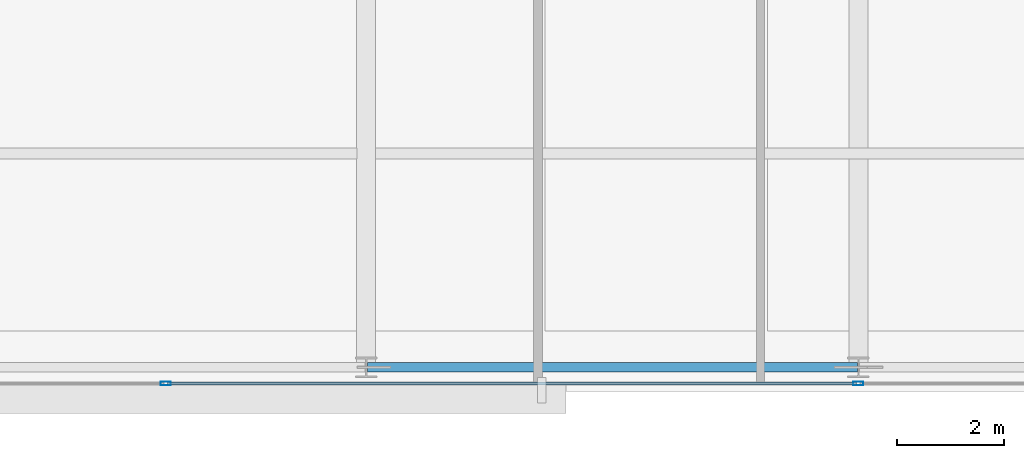
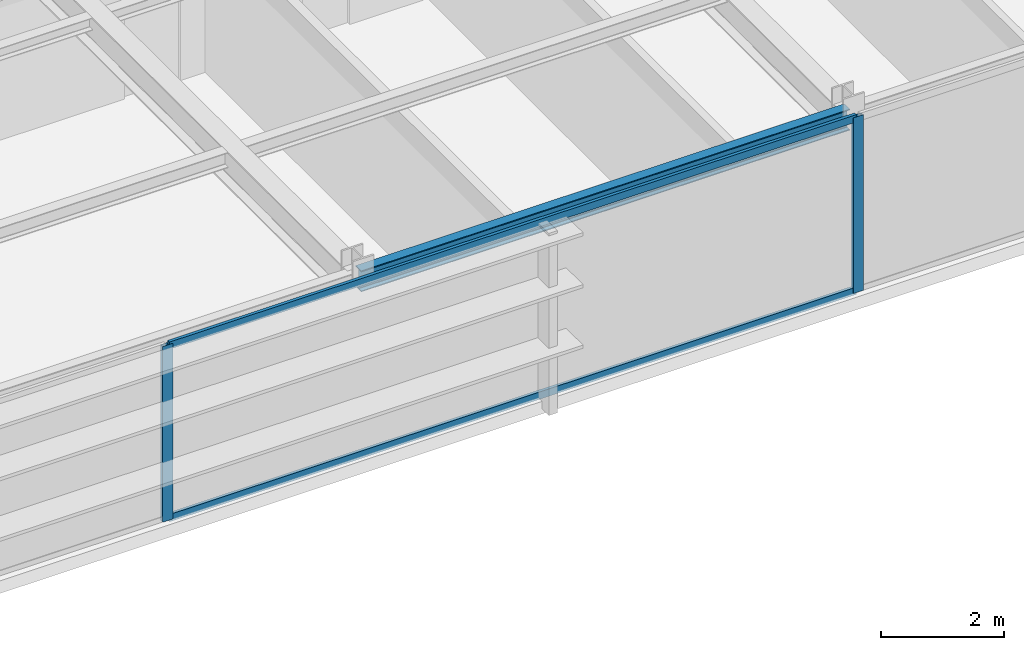
# One storey, part 8 of 33: 4 members, 1 beam, 1 element without a shape of its own.
"""IFC4 building model written with IfcOpenShell, lengths in metres."""

import ifcopenshell
import ifcopenshell.guid

model = None  # the IFC model being written
_history = None  # IfcOwnerHistory: only IFC2X3 demands one
_inside = {}  # id of a spatial element -> (the spatial element, [elements in it])
_under = {}  # id of a project, library or spatial element -> (it, [spatial elements below it])
_declared = {}  # id of a project -> (the project, [libraries it declares])
_typed = {}  # id of a type object -> (the type object, [elements of that type])
_made_of = {}  # id of a material, layer set ... -> (it, [elements and type objects made of it])


def new_model(schema):
    """Start an empty IFC model of exactly this schema.

    Asked for "IFC4X3", IfcOpenShell would pick the latest addendum, in which some entities
    have other attributes; the version numbers below select the first issue.
    IFC2X3 requires an IfcOwnerHistory on every rooted entity: one is made here for all.
    """
    global model, _history
    if schema == "IFC4X3":
        model = ifcopenshell.file(schema_version=(4, 3, 0, 0))
    else:
        model = ifcopenshell.file(schema=schema)
    _inside.clear()
    _under.clear()
    _declared.clear()
    _typed.clear()
    _made_of.clear()
    _history = None
    if model.schema == "IFC2X3":
        org = make("IfcOrganization", Name="unknown")
        user = make(
            "IfcPersonAndOrganization",
            ThePerson=make("IfcPerson", FamilyName="unknown"),
            TheOrganization=org,
        )
        app = make(
            "IfcApplication",
            ApplicationDeveloper=org,
            Version="unknown",
            ApplicationFullName="unknown",
            ApplicationIdentifier="unknown",
        )
        _history = make(
            "IfcOwnerHistory",
            OwningUser=user,
            OwningApplication=app,
            ChangeAction="ADDED",
            CreationDate=0,
        )
    return model


def make(cls, **values):
    """One entity of the class cls with the attributes given. An attribute that is None is left unset."""
    return model.create_entity(
        cls, **{name: value for name, value in values.items() if value is not None}
    )


def rooted(cls, **values):
    """An entity with a GlobalId (a new one), such as an element, a storey or a relation."""
    return make(cls, GlobalId=ifcopenshell.guid.new(), OwnerHistory=_history, **values)


def si_unit(unit_type, name, prefix=None):
    """IfcSIUnit, for example si_unit("LENGTHUNIT", "METRE", prefix="MILLI")."""
    return make("IfcSIUnit", UnitType=unit_type, Prefix=prefix, Name=name)


def assignment(units):
    """IfcUnitAssignment: the units of a project."""
    return None if units is None else make("IfcUnitAssignment", Units=units)


def point(xyz):
    """IfcCartesianPoint."""
    return None if xyz is None else make("IfcCartesianPoint", Coordinates=xyz)


def direction(xyz):
    """IfcDirection."""
    return None if xyz is None else make("IfcDirection", DirectionRatios=xyz)


def frame(location, z_axis=None, x_axis=None):
    """IfcAxis2Placement3D, a coordinate frame: its origin and axes. An axis left out is left unset."""
    return make(
        "IfcAxis2Placement3D",
        Location=point(location),
        Axis=direction(z_axis),
        RefDirection=direction(x_axis),
    )


def frame_2d(location, x_axis=None):
    """IfcAxis2Placement2D, a coordinate frame in the plane: its origin and x axis."""
    return make(
        "IfcAxis2Placement2D", Location=point(location), RefDirection=direction(x_axis)
    )


def origin():
    """The frame at (0, 0, 0) with its axes left unset."""
    return frame((0.0, 0.0, 0.0))


def origin_2d():
    """The frame at (0, 0) in the plane with its x axis left unset."""
    return frame_2d((0.0, 0.0))


def place(relative_to, where):
    """IfcLocalPlacement: puts the frame where relative to a parent placement (None: the world)."""
    return make(
        "IfcLocalPlacement", PlacementRelTo=relative_to, RelativePlacement=where
    )


def context(
    kind, dimensions, precision=None, world=None, true_north=None, identifier=None
):
    """IfcGeometricRepresentationContext, for example the 3D "Model" context."""
    return make(
        "IfcGeometricRepresentationContext",
        ContextIdentifier=identifier,
        ContextType=kind,
        CoordinateSpaceDimension=dimensions,
        Precision=precision,
        WorldCoordinateSystem=world,
        TrueNorth=true_north,
    )


def subcontext(parent, identifier, kind, view, scale=None):
    """IfcGeometricRepresentationSubContext, for example "Body" below "Model"."""
    return make(
        "IfcGeometricRepresentationSubContext",
        ContextIdentifier=identifier,
        ContextType=kind,
        ParentContext=parent,
        TargetScale=scale,
        TargetView=view,
    )


def project(units=None, contexts=None):
    """IfcProject with its units and contexts."""
    return rooted(
        "IfcProject",
        Name="project",
        RepresentationContexts=contexts,
        UnitsInContext=assignment(units),
    )


def spatial(cls, under=None, at=None, **own):
    """A site, building, storey or space (cls), placed at a placement, below another one or the project."""
    s = rooted(cls, ObjectPlacement=at, **own)
    if under is not None:
        _under.setdefault(under.id(), (under, []))[1].append(s)
    return s


def profile(cls, at=None, kind="AREA", **sizes):
    """A parametric profile (cls). Its sizes go by their IFC names, for example OverallWidth=200.0."""
    return make(cls, ProfileType=kind, Position=at, **sizes)


def hollow_rectangle(**sizes):
    """IfcRectangleHollowProfileDef."""
    return profile("IfcRectangleHollowProfileDef", **sizes)


def i_section(**sizes):
    """IfcIShapeProfileDef."""
    return profile("IfcIShapeProfileDef", **sizes)


def extrude(swept, where, along, depth):
    """IfcExtrudedAreaSolid: the profile swept, set in the frame where, extruded along a direction by depth."""
    return make(
        "IfcExtrudedAreaSolid",
        SweptArea=swept,
        Position=where,
        ExtrudedDirection=direction(along),
        Depth=depth,
    )


def shape(context_of_items, identifier, shape_type, items):
    """IfcShapeRepresentation: the items that make up one representation, for example the "Body"."""
    return make(
        "IfcShapeRepresentation",
        ContextOfItems=context_of_items,
        RepresentationIdentifier=identifier,
        RepresentationType=shape_type,
        Items=items,
    )


def source(mapping_origin, context_of_items, identifier, shape_type, items):
    """IfcRepresentationMap: a shape defined once, which mapped items show again and again."""
    return make(
        "IfcRepresentationMap",
        MappingOrigin=mapping_origin,
        MappedRepresentation=shape(context_of_items, identifier, shape_type, items),
    )


def transform(
    local_origin,
    x_axis=None,
    y_axis=None,
    z_axis=None,
    scale=None,
    scale2=None,
    scale3=None,
    uniform=True,
):
    """IfcCartesianTransformationOperator3D, or its non-uniform kind. x_axis, y_axis, z_axis: its Axis1, 2, 3."""
    if uniform:
        return make(
            "IfcCartesianTransformationOperator3D",
            Axis1=direction(x_axis),
            Axis2=direction(y_axis),
            LocalOrigin=point(local_origin),
            Scale=scale,
            Axis3=direction(z_axis),
        )
    return make(
        "IfcCartesianTransformationOperator3DnonUniform",
        Axis1=direction(x_axis),
        Axis2=direction(y_axis),
        LocalOrigin=point(local_origin),
        Scale=scale,
        Axis3=direction(z_axis),
        Scale2=scale2,
        Scale3=scale3,
    )


def mapped(mapping_source, mapping_target):
    """IfcMappedItem: shows the shape of a source again, moved by a transform."""
    return make(
        "IfcMappedItem", MappingSource=mapping_source, MappingTarget=mapping_target
    )


def material(Name=None, Category=None):
    """IfcMaterial."""
    return make("IfcMaterial", Name=Name, Category=Category)


def layer(
    of_material, thickness, ventilated=None, Name=None, Category=None, Priority=None
):
    """IfcMaterialLayer: one layer of a wall or slab, of a material (None: an air gap)."""
    return make(
        "IfcMaterialLayer",
        Material=of_material,
        LayerThickness=thickness,
        IsVentilated=ventilated,
        Name=Name,
        Category=Category,
        Priority=Priority,
    )


def layer_set(layers, Name=None):
    """IfcMaterialLayerSet."""
    return make("IfcMaterialLayerSet", MaterialLayers=layers, LayerSetName=Name)


def material_profile(
    of_material, cross_section, Name=None, Category=None, Priority=None
):
    """IfcMaterialProfile: a cross section and its material."""
    return make(
        "IfcMaterialProfile",
        Name=Name,
        Material=of_material,
        Profile=cross_section,
        Priority=Priority,
        Category=Category,
    )


def profile_set(profiles, Name=None, composite=None):
    """IfcMaterialProfileSet."""
    return make(
        "IfcMaterialProfileSet",
        Name=Name,
        MaterialProfiles=profiles,
        CompositeProfile=composite,
    )


def made_of(thing, what):
    """Note that an element or type object is made of a material, layer set ...; save() writes the relation."""
    if what is not None:
        _made_of.setdefault(what.id(), (what, []))[1].append(thing)
    return thing


def type_object(cls, material=None, **own):
    """A type object (cls), such as IfcWallType, which elements share."""
    return made_of(rooted(cls, **own), material)


def type_shapes(of_type, sources):
    """Give a type object the sources (RepresentationMaps) that its elements show as mapped items."""
    of_type.RepresentationMaps = sources


def element(
    cls,
    number,
    at=None,
    inside=None,
    cuts=None,
    type_object=None,
    material=None,
    context=None,
    identifier="Body",
    shape_type=None,
    held_by="IfcProductDefinitionShape",
    body=None,
    shapes=None,
    **own,
):
    """One element of the class cls, such as IfcWall. Its Tag is "e" and its number.

    at: its placement. inside: the storey or other place that contains it. cuts: it is an
    opening in that element (IfcRelVoidsElement). A single representation is given by context,
    identifier, shape_type and body (its items); several are given by shapes. held_by: the class
    of the entity that holds the representations. save() writes the other relations.
    """
    e = rooted(cls, Tag="e%d" % number, ObjectPlacement=at, **own)
    if body is not None:
        shapes = [shape(context, identifier, shape_type, body)]
    if shapes is not None:
        e.Representation = make(held_by, Representations=shapes)
    if inside is not None:
        _inside.setdefault(inside.id(), (inside, []))[1].append(e)
    if cuts is not None:
        rooted(
            "IfcRelVoidsElement", RelatingBuildingElement=cuts, RelatedOpeningElement=e
        )
    if type_object is not None:
        _typed.setdefault(type_object.id(), (type_object, []))[1].append(e)
    return made_of(e, material)


def aggregate(whole, parts):
    """IfcRelAggregates: a whole, such as a stair, and the parts it consists of."""
    return rooted("IfcRelAggregates", RelatingObject=whole, RelatedObjects=parts)


def save(model, path):
    """Write the relations noted so far, then the file.

    IfcRelAggregates (storeys below a building ...), IfcRelContainedInSpatialStructure (elements
    in a storey), IfcRelDefinesByType, IfcRelAssociatesMaterial and IfcRelDeclares: one each for
    every whole, place, type object, material and project.
    """
    for whole, parts in _under.values():
        aggregate(whole, parts)
    for where, things in _inside.values():
        rooted(
            "IfcRelContainedInSpatialStructure",
            RelatedElements=things,
            RelatingStructure=where,
        )
    for kind, things in _typed.values():
        rooted("IfcRelDefinesByType", RelatedObjects=things, RelatingType=kind)
    for what, things in _made_of.values():
        rooted("IfcRelAssociatesMaterial", RelatedObjects=things, RelatingMaterial=what)
    for by, libraries in _declared.values():
        rooted("IfcRelDeclares", RelatingContext=by, RelatedDefinitions=libraries)
    model.write(path)


model = new_model("IFC4")

# Units and contexts
model_context = context("Model", 3, precision=1e-05, world=origin(), true_north=direction((0.0, 1.0)))
body_context = subcontext(model_context, "Body", "Model", "MODEL_VIEW")
ifc_project = project(units=[si_unit("LENGTHUNIT", "METRE"), si_unit("AREAUNIT", "SQUARE_METRE"), si_unit("VOLUMEUNIT", "CUBIC_METRE"), si_unit("PLANEANGLEUNIT", "RADIAN"), si_unit("MASSUNIT", "GRAM", prefix="KILO")], contexts=[model_context])

# Site, building, storey
site_placement = place(None, origin())
site = spatial("IfcSite", under=ifc_project, at=site_placement, CompositionType="ELEMENT")
building_placement = place(site_placement, origin())
building = spatial("IfcBuilding", under=site, at=building_placement, Name="Varnel Quay Broadcast Tower", CompositionType="ELEMENT")
storey_placement = place(building_placement, frame((0.0, 0.0, 137.199951171875)))
storey = spatial("IfcBuildingStorey", under=building, at=storey_placement, Name="L33", CompositionType="ELEMENT", Elevation=137.199951171875)

# Beam
ifc_material_1 = material(Name="Structural Steel CSA G40.21 350W", Category="steel")
ifc_material_profile_1 = material_profile(ifc_material_1, i_section(OverallWidth=0.180908203125, OverallDepth=0.4169921875, WebThickness=0.010986328125, FlangeThickness=0.018310546875, FilletRadius=0.011962890625, at=origin_2d()), Name="W410X85")
ifc_profile_set_1 = profile_set([ifc_material_profile_1], Name="Structural Steel CSA G40.21 350W")
beam_type = type_object("IfcBeamType", Name="Beam_W410X85", PredefinedType="SPANDREL", material=ifc_profile_set_1)
shared_shape_1 = source(origin(), body_context, "Body", "SweptSolid", [
    extrude(i_section(OverallWidth=0.180908203125, OverallDepth=0.4169921875, WebThickness=0.010986328125, FlangeThickness=0.018310546875, FilletRadius=0.011962890625, at=origin_2d()), origin(), (0.0, 0.0, 1.0), 9.159912109375),
])
type_shapes(beam_type, [shared_shape_1])
beam_placement = place(storey_placement, frame((24.820068359375, 4.64990234375, 3.271484375), z_axis=(1.0, 0.0, 0.0), x_axis=(0.0, 1.0, 0.0)))
element("IfcBeam", 1, at=beam_placement, inside=storey, type_object=beam_type, Name="L33 South Spandrel TC-S2-TC-S3", PredefinedType="SPANDREL", context=body_context, shape_type="MappedRepresentation", body=[
    mapped(shared_shape_1, transform((0.0, 0.0, 0.0), x_axis=(1.0, 0.0, 0.0), y_axis=(0.0, 1.0, 0.0), z_axis=(0.0, 0.0, 1.0), scale=1.0)),
])

# Curtain wall, members
ifc_material_2 = material(Name="Anodised Bronze Aluminium 6063-T6", Category="aluminium")
ifc_layer = layer(ifc_material_2, 0.18994140625, Name="Anodised Bronze Aluminium 6063-T6")
ifc_layer_set = layer_set([ifc_layer], Name="Anodised Bronze Aluminium 6063-T6")
curtain_wall_type = type_object("IfcCurtainWallType", Name="CW_LowerTower", PredefinedType="NOTDEFINED", material=ifc_layer_set)
curtain_wall_placement = place(storey_placement, origin())
curtain_wall = element("IfcCurtainWall", 2, at=curtain_wall_placement, inside=storey, type_object=curtain_wall_type, Name="L33 South Unitised Curtain Wall 1", PredefinedType="NOTDEFINED")
ifc_material_profile_2 = material_profile(ifc_material_2, hollow_rectangle(XDim=0.06005859375, YDim=0.14501953125, WallThickness=0.00341796875, at=origin_2d()), Name="ALU60X145X3.5")
ifc_profile_set_2 = profile_set([ifc_material_profile_2], Name="Anodised Bronze Aluminium 6063-T6")
member_type_1 = type_object("IfcMemberType", Name="Tran_CWS-02", PredefinedType="USERDEFINED", material=ifc_profile_set_2)
shared_shape_2 = source(origin(), body_context, "Body", "SweptSolid", [
    extrude(hollow_rectangle(XDim=0.06005859375, YDim=0.14501953125, WallThickness=0.00341796875, at=origin_2d()), origin(), (0.0, 0.0, 1.0), 12.880126953125),
])
type_shapes(member_type_1, [shared_shape_2])
member_1_placement = place(storey_placement, frame((21.0849609375, 4.35009765625, 0.030029296875), z_axis=(1.0, 0.0, 0.0), x_axis=(0.0, 1.0, 0.0)))
member_1 = element("IfcMember", 3, at=member_1_placement, type_object=member_type_1, Name="CWS-02 transom 2.1", ObjectType="TRANSOM", PredefinedType="USERDEFINED", context=body_context, shape_type="MappedRepresentation", body=[
    mapped(shared_shape_2, transform((0.0, 0.0, 0.0), x_axis=(1.0, 0.0, 0.0), y_axis=(0.0, 1.0, 0.0), z_axis=(0.0, 0.0, 1.0), scale=1.0)),
])
member_2_placement = place(storey_placement, frame((21.0849609375, 4.35009765625, 3.449951171875), z_axis=(1.0, 0.0, 0.0), x_axis=(0.0, 1.0, 0.0)))
member_2 = element("IfcMember", 4, at=member_2_placement, type_object=member_type_1, Name="CWS-02 transom 2.2", ObjectType="TRANSOM", PredefinedType="USERDEFINED", context=body_context, shape_type="MappedRepresentation", body=[
    mapped(shared_shape_2, transform((0.0, 0.0, 0.0), x_axis=(1.0, 0.0, 0.0), y_axis=(0.0, 1.0, 0.0), z_axis=(0.0, 0.0, 1.0), scale=1.0)),
])
ifc_material_profile_3 = material_profile(ifc_material_2, hollow_rectangle(XDim=0.070068359375, YDim=0.18994140625, WallThickness=0.00390625, at=origin_2d()), Name="ALU70X190X4")
ifc_profile_set_3 = profile_set([ifc_material_profile_3], Name="Anodised Bronze Aluminium 6063-T6")
member_type_2 = type_object("IfcMemberType", Name="Mull_CWS-02", PredefinedType="MULLION", material=ifc_profile_set_3)
shared_shape_3 = source(origin(), body_context, "Body", "SweptSolid", [
    extrude(hollow_rectangle(XDim=0.070068359375, YDim=0.18994140625, WallThickness=0.00390625, at=origin_2d()), origin(), (0.0, 0.0, 1.0), 3.47998046875),
])
type_shapes(member_type_2, [shared_shape_3])
member_3_placement = place(storey_placement, frame((21.050048828125, 4.35009765625, 0.0), z_axis=(0.0, 0.0, 1.0), x_axis=(0.0, 1.0, 0.0)))
member_3 = element("IfcMember", 5, at=member_3_placement, type_object=member_type_2, Name="CWS-02 mullion 2", PredefinedType="MULLION", context=body_context, shape_type="MappedRepresentation", body=[
    mapped(shared_shape_3, transform((0.0, 0.0, 0.0), x_axis=(1.0, 0.0, 0.0), y_axis=(0.0, 1.0, 0.0), z_axis=(0.0, 0.0, 1.0), scale=1.0)),
])
member_4_placement = place(storey_placement, frame((34.0, 4.35009765625, 0.0), z_axis=(0.0, 0.0, 1.0), x_axis=(0.0, 1.0, 0.0)))
member_4 = element("IfcMember", 6, at=member_4_placement, type_object=member_type_2, Name="CWS-02 mullion 3", PredefinedType="MULLION", context=body_context, shape_type="MappedRepresentation", body=[
    mapped(shared_shape_3, transform((0.0, 0.0, 0.0), x_axis=(1.0, 0.0, 0.0), y_axis=(0.0, 1.0, 0.0), z_axis=(0.0, 0.0, 1.0), scale=1.0)),
])
aggregate(curtain_wall, [member_3, member_4, member_1, member_2])

save(model, "model.ifc")
